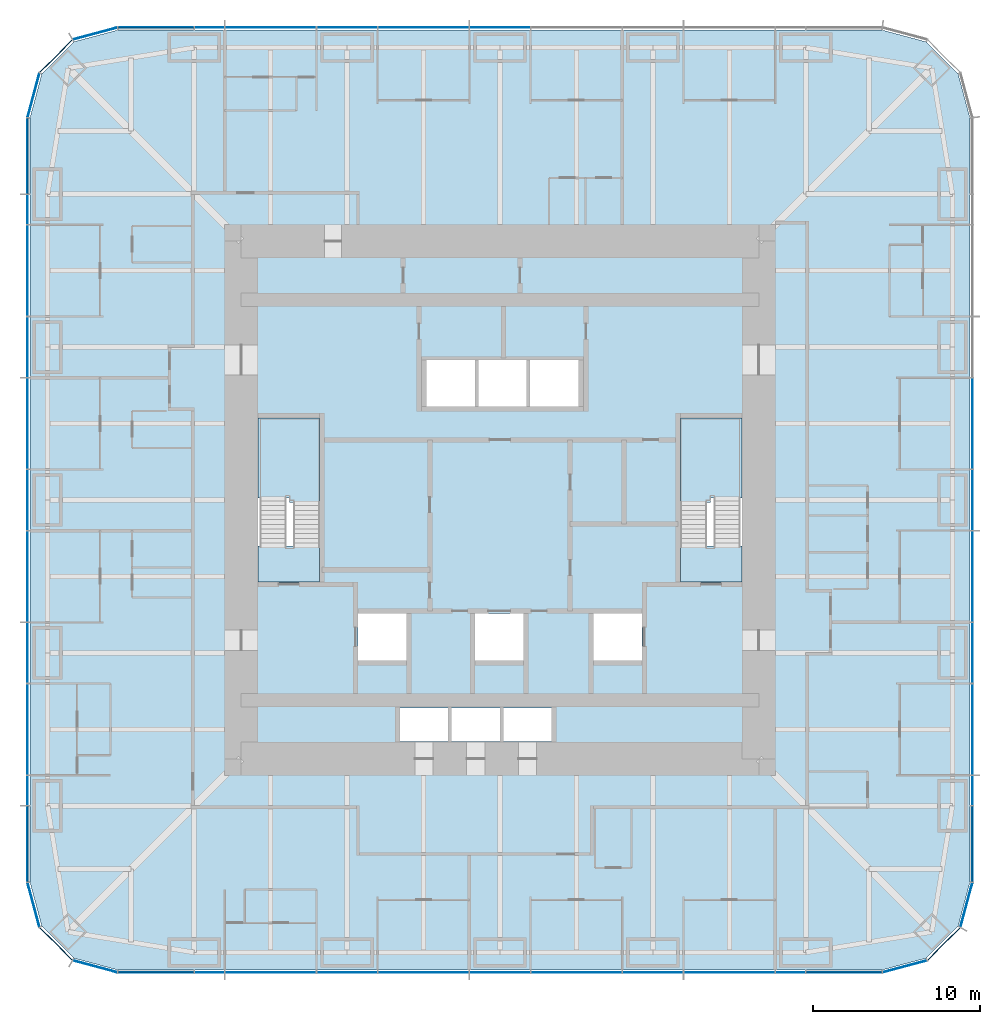
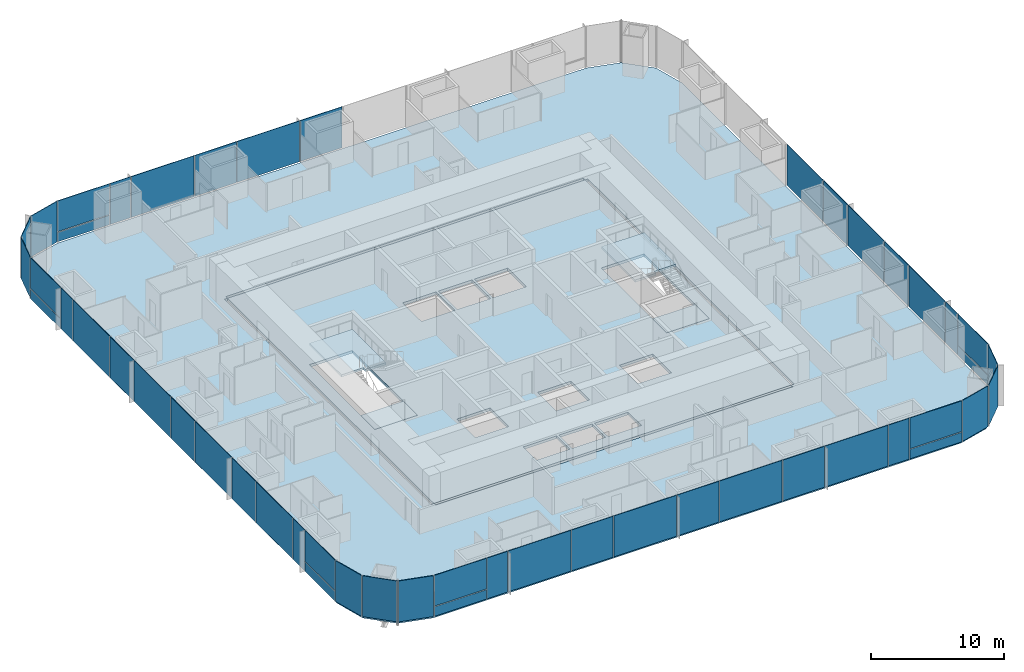
# One storey, part 6 of 12: 50 plates, 6 slabs, 9 elements without a shape of their own.
"""IFC4 building model written with IfcOpenShell, lengths in metres."""

import ifcopenshell
import ifcopenshell.guid

model = None  # the IFC model being written
_history = None  # IfcOwnerHistory: only IFC2X3 demands one
_inside = {}  # id of a spatial element -> (the spatial element, [elements in it])
_under = {}  # id of a project, library or spatial element -> (it, [spatial elements below it])
_declared = {}  # id of a project -> (the project, [libraries it declares])
_typed = {}  # id of a type object -> (the type object, [elements of that type])
_made_of = {}  # id of a material, layer set ... -> (it, [elements and type objects made of it])


def new_model(schema):
    """Start an empty IFC model of exactly this schema.

    Asked for "IFC4X3", IfcOpenShell would pick the latest addendum, in which some entities
    have other attributes; the version numbers below select the first issue.
    IFC2X3 requires an IfcOwnerHistory on every rooted entity: one is made here for all.
    """
    global model, _history
    if schema == "IFC4X3":
        model = ifcopenshell.file(schema_version=(4, 3, 0, 0))
    else:
        model = ifcopenshell.file(schema=schema)
    _inside.clear()
    _under.clear()
    _declared.clear()
    _typed.clear()
    _made_of.clear()
    _history = None
    if model.schema == "IFC2X3":
        org = make("IfcOrganization", Name="unknown")
        user = make(
            "IfcPersonAndOrganization",
            ThePerson=make("IfcPerson", FamilyName="unknown"),
            TheOrganization=org,
        )
        app = make(
            "IfcApplication",
            ApplicationDeveloper=org,
            Version="unknown",
            ApplicationFullName="unknown",
            ApplicationIdentifier="unknown",
        )
        _history = make(
            "IfcOwnerHistory",
            OwningUser=user,
            OwningApplication=app,
            ChangeAction="ADDED",
            CreationDate=0,
        )
    return model


def make(cls, **values):
    """One entity of the class cls with the attributes given. An attribute that is None is left unset."""
    return model.create_entity(
        cls, **{name: value for name, value in values.items() if value is not None}
    )


def rooted(cls, **values):
    """An entity with a GlobalId (a new one), such as an element, a storey or a relation."""
    return make(cls, GlobalId=ifcopenshell.guid.new(), OwnerHistory=_history, **values)


def si_unit(unit_type, name, prefix=None):
    """IfcSIUnit, for example si_unit("LENGTHUNIT", "METRE", prefix="MILLI")."""
    return make("IfcSIUnit", UnitType=unit_type, Prefix=prefix, Name=name)


def assignment(units):
    """IfcUnitAssignment: the units of a project."""
    return None if units is None else make("IfcUnitAssignment", Units=units)


def point(xyz):
    """IfcCartesianPoint."""
    return None if xyz is None else make("IfcCartesianPoint", Coordinates=xyz)


def direction(xyz):
    """IfcDirection."""
    return None if xyz is None else make("IfcDirection", DirectionRatios=xyz)


def frame(location, z_axis=None, x_axis=None):
    """IfcAxis2Placement3D, a coordinate frame: its origin and axes. An axis left out is left unset."""
    return make(
        "IfcAxis2Placement3D",
        Location=point(location),
        Axis=direction(z_axis),
        RefDirection=direction(x_axis),
    )


def frame_2d(location, x_axis=None):
    """IfcAxis2Placement2D, a coordinate frame in the plane: its origin and x axis."""
    return make(
        "IfcAxis2Placement2D", Location=point(location), RefDirection=direction(x_axis)
    )


def origin():
    """The frame at (0, 0, 0) with its axes left unset."""
    return frame((0.0, 0.0, 0.0))


def origin_2d():
    """The frame at (0, 0) in the plane with its x axis left unset."""
    return frame_2d((0.0, 0.0))


def place(relative_to, where):
    """IfcLocalPlacement: puts the frame where relative to a parent placement (None: the world)."""
    return make(
        "IfcLocalPlacement", PlacementRelTo=relative_to, RelativePlacement=where
    )


def context(
    kind, dimensions, precision=None, world=None, true_north=None, identifier=None
):
    """IfcGeometricRepresentationContext, for example the 3D "Model" context."""
    return make(
        "IfcGeometricRepresentationContext",
        ContextIdentifier=identifier,
        ContextType=kind,
        CoordinateSpaceDimension=dimensions,
        Precision=precision,
        WorldCoordinateSystem=world,
        TrueNorth=true_north,
    )


def subcontext(parent, identifier, kind, view, scale=None):
    """IfcGeometricRepresentationSubContext, for example "Body" below "Model"."""
    return make(
        "IfcGeometricRepresentationSubContext",
        ContextIdentifier=identifier,
        ContextType=kind,
        ParentContext=parent,
        TargetScale=scale,
        TargetView=view,
    )


def project(units=None, contexts=None):
    """IfcProject with its units and contexts."""
    return rooted(
        "IfcProject",
        Name="project",
        RepresentationContexts=contexts,
        UnitsInContext=assignment(units),
    )


def spatial(cls, under=None, at=None, **own):
    """A site, building, storey or space (cls), placed at a placement, below another one or the project."""
    s = rooted(cls, ObjectPlacement=at, **own)
    if under is not None:
        _under.setdefault(under.id(), (under, []))[1].append(s)
    return s


def polyline(points):
    """IfcPolyline through the points."""
    return make("IfcPolyline", Points=[point(p) for p in points])


def profile(cls, at=None, kind="AREA", **sizes):
    """A parametric profile (cls). Its sizes go by their IFC names, for example OverallWidth=200.0."""
    return make(cls, ProfileType=kind, Position=at, **sizes)


def rectangle(**sizes):
    """IfcRectangleProfileDef."""
    return profile("IfcRectangleProfileDef", **sizes)


def outline(outer, holes=None, kind="AREA"):
    """IfcArbitraryClosedProfileDef: a profile drawn as a closed curve; with holes, ...WithVoids."""
    if holes is None:
        return make("IfcArbitraryClosedProfileDef", ProfileType=kind, OuterCurve=outer)
    return make(
        "IfcArbitraryProfileDefWithVoids",
        ProfileType=kind,
        OuterCurve=outer,
        InnerCurves=holes,
    )


def extrude(swept, where, along, depth):
    """IfcExtrudedAreaSolid: the profile swept, set in the frame where, extruded along a direction by depth."""
    return make(
        "IfcExtrudedAreaSolid",
        SweptArea=swept,
        Position=where,
        ExtrudedDirection=direction(along),
        Depth=depth,
    )


def shape(context_of_items, identifier, shape_type, items):
    """IfcShapeRepresentation: the items that make up one representation, for example the "Body"."""
    return make(
        "IfcShapeRepresentation",
        ContextOfItems=context_of_items,
        RepresentationIdentifier=identifier,
        RepresentationType=shape_type,
        Items=items,
    )


def material(Name=None, Category=None):
    """IfcMaterial."""
    return make("IfcMaterial", Name=Name, Category=Category)


def layer(
    of_material, thickness, ventilated=None, Name=None, Category=None, Priority=None
):
    """IfcMaterialLayer: one layer of a wall or slab, of a material (None: an air gap)."""
    return make(
        "IfcMaterialLayer",
        Material=of_material,
        LayerThickness=thickness,
        IsVentilated=ventilated,
        Name=Name,
        Category=Category,
        Priority=Priority,
    )


def layer_set(layers, Name=None):
    """IfcMaterialLayerSet."""
    return make("IfcMaterialLayerSet", MaterialLayers=layers, LayerSetName=Name)


def made_of(thing, what):
    """Note that an element or type object is made of a material, layer set ...; save() writes the relation."""
    if what is not None:
        _made_of.setdefault(what.id(), (what, []))[1].append(thing)
    return thing


def type_object(cls, material=None, **own):
    """A type object (cls), such as IfcWallType, which elements share."""
    return made_of(rooted(cls, **own), material)


def element(
    cls,
    number,
    at=None,
    inside=None,
    cuts=None,
    type_object=None,
    material=None,
    context=None,
    identifier="Body",
    shape_type=None,
    held_by="IfcProductDefinitionShape",
    body=None,
    shapes=None,
    **own,
):
    """One element of the class cls, such as IfcWall. Its Tag is "e" and its number.

    at: its placement. inside: the storey or other place that contains it. cuts: it is an
    opening in that element (IfcRelVoidsElement). A single representation is given by context,
    identifier, shape_type and body (its items); several are given by shapes. held_by: the class
    of the entity that holds the representations. save() writes the other relations.
    """
    e = rooted(cls, Tag="e%d" % number, ObjectPlacement=at, **own)
    if body is not None:
        shapes = [shape(context, identifier, shape_type, body)]
    if shapes is not None:
        e.Representation = make(held_by, Representations=shapes)
    if inside is not None:
        _inside.setdefault(inside.id(), (inside, []))[1].append(e)
    if cuts is not None:
        rooted(
            "IfcRelVoidsElement", RelatingBuildingElement=cuts, RelatedOpeningElement=e
        )
    if type_object is not None:
        _typed.setdefault(type_object.id(), (type_object, []))[1].append(e)
    return made_of(e, material)


def aggregate(whole, parts):
    """IfcRelAggregates: a whole, such as a stair, and the parts it consists of."""
    return rooted("IfcRelAggregates", RelatingObject=whole, RelatedObjects=parts)


def save(model, path):
    """Write the relations noted so far, then the file.

    IfcRelAggregates (storeys below a building ...), IfcRelContainedInSpatialStructure (elements
    in a storey), IfcRelDefinesByType, IfcRelAssociatesMaterial and IfcRelDeclares: one each for
    every whole, place, type object, material and project.
    """
    for whole, parts in _under.values():
        aggregate(whole, parts)
    for where, things in _inside.values():
        rooted(
            "IfcRelContainedInSpatialStructure",
            RelatedElements=things,
            RelatingStructure=where,
        )
    for kind, things in _typed.values():
        rooted("IfcRelDefinesByType", RelatedObjects=things, RelatingType=kind)
    for what, things in _made_of.values():
        rooted("IfcRelAssociatesMaterial", RelatedObjects=things, RelatingMaterial=what)
    for by, libraries in _declared.values():
        rooted("IfcRelDeclares", RelatingContext=by, RelatedDefinitions=libraries)
    model.write(path)


model = new_model("IFC4")

# Units and contexts
model_context = context("Model", 3, precision=1e-05, world=origin(), true_north=direction((0.0, 1.0)))
body_context = subcontext(model_context, "Body", "Model", "MODEL_VIEW")
ifc_project = project(units=[si_unit("LENGTHUNIT", "METRE"), si_unit("AREAUNIT", "SQUARE_METRE"), si_unit("VOLUMEUNIT", "CUBIC_METRE"), si_unit("PLANEANGLEUNIT", "RADIAN"), si_unit("MASSUNIT", "GRAM", prefix="KILO")], contexts=[model_context])

# Site, building, storey
site_placement = place(None, origin())
site = spatial("IfcSite", under=ifc_project, at=site_placement, CompositionType="ELEMENT")
building_placement = place(site_placement, origin())
building = spatial("IfcBuilding", under=site, at=building_placement, Name="Khuree Lantern Residences", CompositionType="ELEMENT")
storey_placement = place(building_placement, frame((0.0, 0.0, 182.25)))
storey = spatial("IfcBuildingStorey", under=building, at=storey_placement, Name="L46", CompositionType="ELEMENT", Elevation=182.25)

# Slab
ifc_material_1 = material(Name="Concrete C35/45", Category="concrete")
ifc_layer_1 = layer(ifc_material_1, 0.25)
ifc_layer_set_1 = layer_set([ifc_layer_1], Name="CFL250 CORE FLOOR SLAB 250")
slab_type_1 = type_object("IfcSlabType", Name="CFL250 CORE FLOOR SLAB 250", PredefinedType="FLOOR", material=ifc_layer_set_1)
slab_1_placement = place(storey_placement, frame((0.0, 0.0, -0.25)))
element("IfcSlab", 1, at=slab_1_placement, inside=storey, type_object=slab_type_1, Name="Core floor L46", PredefinedType="FLOOR", context=body_context, shape_type="SweptSolid", body=[
    extrude(outline(polyline([(-15.5, -15.5), (-15.5, 15.5), (15.5, 15.5), (15.5, -15.5), (-15.5, -15.5)]), holes=[polyline([(10.800048828125, 4.89990234375), (10.800048828125, -4.89990234375), (14.5, -4.89990234375), (14.5, 4.89990234375), (10.800048828125, 4.89990234375)]), polyline([(8.5, -6.800048828125), (5.60009765625, -6.800048828125), (5.60009765625, -9.60009765625), (8.5, -9.60009765625), (8.5, -6.800048828125)]), polyline([(4.699951171875, 8.39990234375), (1.800048828125, 8.39990234375), (1.800048828125, 5.60009765625), (4.699951171875, 5.60009765625), (4.699951171875, 8.39990234375)]), polyline([(3.10009765625, -12.449951171875), (0.199951171875, -12.449951171875), (0.199951171875, -14.449951171875), (3.10009765625, -14.449951171875), (3.10009765625, -12.449951171875)]), polyline([(1.60009765625, 8.39990234375), (-1.300048828125, 8.39990234375), (-1.300048828125, 5.60009765625), (1.60009765625, 5.60009765625), (1.60009765625, 8.39990234375)]), polyline([(1.39990234375, -6.800048828125), (-1.5, -6.800048828125), (-1.5, -9.60009765625), (1.39990234375, -9.60009765625), (1.39990234375, -6.800048828125)]), polyline([(-2.89990234375, -12.449951171875), (-2.89990234375, -14.449951171875), (0.0, -14.449951171875), (0.0, -12.449951171875), (-2.89990234375, -12.449951171875)]), polyline([(-4.39990234375, 8.39990234375), (-4.39990234375, 5.60009765625), (-1.5, 5.60009765625), (-1.5, 8.39990234375), (-4.39990234375, 8.39990234375)]), polyline([(-6.0, -12.449951171875), (-6.0, -14.449951171875), (-3.10009765625, -14.449951171875), (-3.10009765625, -12.449951171875), (-6.0, -12.449951171875)]), polyline([(-8.5, -6.800048828125), (-8.5, -9.60009765625), (-5.60009765625, -9.60009765625), (-5.60009765625, -6.800048828125), (-8.5, -6.800048828125)]), polyline([(-10.800048828125, 4.89990234375), (-14.5, 4.89990234375), (-14.5, -4.89990234375), (-10.800048828125, -4.89990234375), (-10.800048828125, 4.89990234375)])]), origin(), (0.0, 0.0, 1.0), 0.25),
])

# Curtain wall, plates
ifc_material_2 = material(Name="Bronze anodised aluminium", Category="aluminium")
curtain_wall_type_1 = type_object("IfcCurtainWallType", Name="CW-T2 TOWER CORNER CURTAIN WALL", PredefinedType="USERDEFINED", material=ifc_material_2)
curtain_wall_1_placement = place(storey_placement, origin())
curtain_wall_1 = element("IfcCurtainWall", 2, at=curtain_wall_1_placement, inside=storey, type_object=curtain_wall_type_1, Name="L46 SOUTH-EAST CORNER CURTAIN WALL", ObjectType="Faceted corner curtain wall", PredefinedType="USERDEFINED")
ifc_material_3 = material(Name="Bronze tinted triple glazing", Category="glass")
ifc_layer_2 = layer(ifc_material_3, 0.048095703125)
ifc_layer_set_2 = layer_set([ifc_layer_2], Name="FACET PANEL P4")
plate_type_1 = type_object("IfcPlateType", Name="FACET PANEL P4", PredefinedType="CURTAIN_PANEL", material=ifc_layer_set_2)
plate_1_placement = place(storey_placement, frame((24.248046875, -27.938720703125, 0.0), z_axis=(0.0, 0.0, 1.0), x_axis=(0.965925810153, 0.258819105321, 0.0)))
plate_1 = element("IfcPlate", 3, at=plate_1_placement, type_object=plate_type_1, Name="L46 SOUTH-EAST CORNER PANEL 1.1", PredefinedType="CURTAIN_PANEL", context=body_context, shape_type="SweptSolid", body=[
    extrude(rectangle(XDim=2.71923828125, YDim=0.048095703125, at=origin_2d()), origin(), (0.0, 0.0, 1.0), 3.75),
])
plate_2_placement = place(storey_placement, frame((26.58837890625, -26.58837890625, 0.0), z_axis=(0.0, 0.0, 1.0), x_axis=(0.707106781187, 0.707106781187, 0.0)))
plate_2 = element("IfcPlate", 4, at=plate_2_placement, type_object=plate_type_1, Name="L46 SOUTH-EAST CORNER PANEL 2.1", PredefinedType="CURTAIN_PANEL", context=body_context, shape_type="SweptSolid", body=[
    extrude(rectangle(XDim=2.715087890625, YDim=0.048095703125, at=origin_2d()), origin(), (0.0, 0.0, 1.0), 3.75),
])
plate_3_placement = place(storey_placement, frame((27.938720703125, -24.248046875, 0.0), z_axis=(0.0, 0.0, 1.0), x_axis=(0.258819105321, 0.965925810153, 0.0)))
plate_3 = element("IfcPlate", 5, at=plate_3_placement, type_object=plate_type_1, Name="L46 SOUTH-EAST CORNER PANEL 3.1", PredefinedType="CURTAIN_PANEL", context=body_context, shape_type="SweptSolid", body=[
    extrude(rectangle(XDim=2.71923828125, YDim=0.048095703125, at=origin_2d()), origin(), (0.0, 0.0, 1.0), 3.75),
])
aggregate(curtain_wall_1, [plate_1, plate_2, plate_3])

curtain_wall_2_placement = place(storey_placement, origin())
curtain_wall_2 = element("IfcCurtainWall", 6, at=curtain_wall_2_placement, inside=storey, type_object=curtain_wall_type_1, Name="L46 NORTH-WEST CORNER CURTAIN WALL", ObjectType="Faceted corner curtain wall", PredefinedType="USERDEFINED")
plate_4_placement = place(storey_placement, frame((-24.248046875, 27.938720703125, 0.0), z_axis=(0.0, 0.0, 1.0), x_axis=(-0.965925810153, -0.258819105321, 0.0)))
plate_4 = element("IfcPlate", 7, at=plate_4_placement, type_object=plate_type_1, Name="L46 NORTH-WEST CORNER PANEL 29.1", PredefinedType="CURTAIN_PANEL", context=body_context, shape_type="SweptSolid", body=[
    extrude(rectangle(XDim=2.71923828125, YDim=0.048095703125, at=origin_2d()), origin(), (0.0, 0.0, 1.0), 3.75),
])
plate_5_placement = place(storey_placement, frame((-26.58837890625, 26.58837890625, 0.0), z_axis=(0.0, 0.0, 1.0), x_axis=(-0.707106781187, -0.707106781187, 0.0)))
plate_5 = element("IfcPlate", 8, at=plate_5_placement, type_object=plate_type_1, Name="L46 NORTH-WEST CORNER PANEL 30.1", PredefinedType="CURTAIN_PANEL", context=body_context, shape_type="SweptSolid", body=[
    extrude(rectangle(XDim=2.715087890625, YDim=0.048095703125, at=origin_2d()), origin(), (0.0, 0.0, 1.0), 3.75),
])
plate_6_placement = place(storey_placement, frame((-27.938720703125, 24.248046875, 0.0), z_axis=(0.0, 0.0, 1.0), x_axis=(-0.258819105321, -0.965925810153, 0.0)))
plate_6 = element("IfcPlate", 9, at=plate_6_placement, type_object=plate_type_1, Name="L46 NORTH-WEST CORNER PANEL 31.1", PredefinedType="CURTAIN_PANEL", context=body_context, shape_type="SweptSolid", body=[
    extrude(rectangle(XDim=2.71923828125, YDim=0.048095703125, at=origin_2d()), origin(), (0.0, 0.0, 1.0), 3.75),
])
aggregate(curtain_wall_2, [plate_4, plate_5, plate_6])

curtain_wall_3_placement = place(storey_placement, origin())
curtain_wall_3 = element("IfcCurtainWall", 10, at=curtain_wall_3_placement, inside=storey, type_object=curtain_wall_type_1, Name="L46 SOUTH-WEST CORNER CURTAIN WALL", ObjectType="Faceted corner curtain wall", PredefinedType="USERDEFINED")
plate_7_placement = place(storey_placement, frame((-27.938720703125, -24.248046875, 0.0), z_axis=(0.0, 0.0, 1.0), x_axis=(0.258819105321, -0.965925810153, 0.0)))
plate_7 = element("IfcPlate", 11, at=plate_7_placement, type_object=plate_type_1, Name="L46 SOUTH-WEST CORNER PANEL 43.1", PredefinedType="CURTAIN_PANEL", context=body_context, shape_type="SweptSolid", body=[
    extrude(rectangle(XDim=2.71923828125, YDim=0.048095703125, at=origin_2d()), origin(), (0.0, 0.0, 1.0), 3.75),
])
plate_8_placement = place(storey_placement, frame((-26.58837890625, -26.58837890625, 0.0), z_axis=(0.0, 0.0, 1.0), x_axis=(0.707106781187, -0.707106781187, 0.0)))
plate_8 = element("IfcPlate", 12, at=plate_8_placement, type_object=plate_type_1, Name="L46 SOUTH-WEST CORNER PANEL 44.1", PredefinedType="CURTAIN_PANEL", context=body_context, shape_type="SweptSolid", body=[
    extrude(rectangle(XDim=2.715087890625, YDim=0.048095703125, at=origin_2d()), origin(), (0.0, 0.0, 1.0), 3.75),
])
plate_9_placement = place(storey_placement, frame((-24.248046875, -27.938720703125, 0.0), z_axis=(0.0, 0.0, 1.0), x_axis=(0.965925810153, -0.258819105321, 0.0)))
plate_9 = element("IfcPlate", 13, at=plate_9_placement, type_object=plate_type_1, Name="L46 SOUTH-WEST CORNER PANEL 45.1", PredefinedType="CURTAIN_PANEL", context=body_context, shape_type="SweptSolid", body=[
    extrude(rectangle(XDim=2.71923828125, YDim=0.048095703125, at=origin_2d()), origin(), (0.0, 0.0, 1.0), 3.75),
])
aggregate(curtain_wall_3, [plate_7, plate_8, plate_9])

curtain_wall_type_2 = type_object("IfcCurtainWallType", Name="CW-T1 TOWER FACE CURTAIN WALL", PredefinedType="USERDEFINED", material=ifc_material_2)
curtain_wall_4_placement = place(storey_placement, origin())
curtain_wall_4 = element("IfcCurtainWall", 14, at=curtain_wall_4_placement, inside=storey, type_object=curtain_wall_type_2, Name="L46 EAST FACE CURTAIN WALL", ObjectType="Stick-built curtain wall", PredefinedType="USERDEFINED")
ifc_material_4 = material(Name="Bronze tinted triple glazing with a ceramic-fritted spandrel band", Category="glass")
ifc_layer_3 = layer(ifc_material_4, 0.048095703125)
ifc_layer_set_3 = layer_set([ifc_layer_3], Name="FIXED LIGHT PANEL P11")
plate_type_2 = type_object("IfcPlateType", Name="FIXED LIGHT PANEL P11", PredefinedType="CURTAIN_PANEL", material=ifc_layer_set_3)
plate_10_placement = place(storey_placement, frame((28.300048828125, -13.739990234375, 0.0), z_axis=(0.0, 0.0, 1.0), x_axis=(0.0, 1.0, 0.0)))
plate_10 = element("IfcPlate", 15, at=plate_10_placement, type_object=plate_type_2, Name="L46 EAST FACE PANEL 6.1", PredefinedType="CURTAIN_PANEL", context=body_context, shape_type="SweptSolid", body=[
    extrude(rectangle(XDim=5.430908203125, YDim=0.048095703125, at=origin_2d()), origin(), (0.0, 0.0, 1.0), 3.75),
])
plate_11_placement = place(storey_placement, frame((28.300048828125, -4.580078125, 0.0), z_axis=(0.0, 0.0, 1.0), x_axis=(0.0, 1.0, 0.0)))
plate_11 = element("IfcPlate", 16, at=plate_11_placement, type_object=plate_type_2, Name="L46 EAST FACE PANEL 8.1", PredefinedType="CURTAIN_PANEL", context=body_context, shape_type="SweptSolid", body=[
    extrude(rectangle(XDim=5.430908203125, YDim=0.048095703125, at=origin_2d()), origin(), (0.0, 0.0, 1.0), 3.75),
])
plate_12_placement = place(storey_placement, frame((28.300048828125, 4.580078125, 0.0), z_axis=(0.0, 0.0, 1.0), x_axis=(0.0, 1.0, 0.0)))
plate_12 = element("IfcPlate", 17, at=plate_12_placement, type_object=plate_type_2, Name="L46 EAST FACE PANEL 10.1", PredefinedType="CURTAIN_PANEL", context=body_context, shape_type="SweptSolid", body=[
    extrude(rectangle(XDim=5.430908203125, YDim=0.048095703125, at=origin_2d()), origin(), (0.0, 0.0, 1.0), 3.75),
])

curtain_wall_5_placement = place(storey_placement, origin())
curtain_wall_5 = element("IfcCurtainWall", 18, at=curtain_wall_5_placement, inside=storey, type_object=curtain_wall_type_2, Name="L46 NORTH FACE CURTAIN WALL", ObjectType="Stick-built curtain wall", PredefinedType="USERDEFINED")
plate_13_placement = place(storey_placement, frame((-4.580078125, 28.300048828125, 0.0), z_axis=(0.0, 0.0, 1.0), x_axis=(-1.0, 0.0, 0.0)))
plate_13 = element("IfcPlate", 19, at=plate_13_placement, type_object=plate_type_2, Name="L46 NORTH FACE PANEL 24.1", PredefinedType="CURTAIN_PANEL", context=body_context, shape_type="SweptSolid", body=[
    extrude(rectangle(XDim=5.430908203125, YDim=0.048095703125, at=origin_2d()), origin(), (0.0, 0.0, 1.0), 3.75),
])
plate_14_placement = place(storey_placement, frame((-13.739990234375, 28.300048828125, 0.0), z_axis=(0.0, 0.0, 1.0), x_axis=(-1.0, 0.0, 0.0)))
plate_14 = element("IfcPlate", 20, at=plate_14_placement, type_object=plate_type_2, Name="L46 NORTH FACE PANEL 26.1", PredefinedType="CURTAIN_PANEL", context=body_context, shape_type="SweptSolid", body=[
    extrude(rectangle(XDim=5.430908203125, YDim=0.048095703125, at=origin_2d()), origin(), (0.0, 0.0, 1.0), 3.75),
])

curtain_wall_6_placement = place(storey_placement, origin())
curtain_wall_6 = element("IfcCurtainWall", 21, at=curtain_wall_6_placement, inside=storey, type_object=curtain_wall_type_2, Name="L46 WEST FACE CURTAIN WALL", ObjectType="Stick-built curtain wall", PredefinedType="USERDEFINED")
plate_15_placement = place(storey_placement, frame((-28.300048828125, 13.739990234375, 0.0), z_axis=(0.0, 0.0, 1.0), x_axis=(0.0, -1.0, 0.0)))
plate_15 = element("IfcPlate", 22, at=plate_15_placement, type_object=plate_type_2, Name="L46 WEST FACE PANEL 34.1", PredefinedType="CURTAIN_PANEL", context=body_context, shape_type="SweptSolid", body=[
    extrude(rectangle(XDim=5.430908203125, YDim=0.048095703125, at=origin_2d()), origin(), (0.0, 0.0, 1.0), 3.75),
])
plate_16_placement = place(storey_placement, frame((-28.300048828125, 4.580078125, 0.0), z_axis=(0.0, 0.0, 1.0), x_axis=(0.0, -1.0, 0.0)))
plate_16 = element("IfcPlate", 23, at=plate_16_placement, type_object=plate_type_2, Name="L46 WEST FACE PANEL 36.1", PredefinedType="CURTAIN_PANEL", context=body_context, shape_type="SweptSolid", body=[
    extrude(rectangle(XDim=5.430908203125, YDim=0.048095703125, at=origin_2d()), origin(), (0.0, 0.0, 1.0), 3.75),
])
plate_17_placement = place(storey_placement, frame((-28.300048828125, -4.580078125, 0.0), z_axis=(0.0, 0.0, 1.0), x_axis=(0.0, -1.0, 0.0)))
plate_17 = element("IfcPlate", 24, at=plate_17_placement, type_object=plate_type_2, Name="L46 WEST FACE PANEL 38.1", PredefinedType="CURTAIN_PANEL", context=body_context, shape_type="SweptSolid", body=[
    extrude(rectangle(XDim=5.430908203125, YDim=0.048095703125, at=origin_2d()), origin(), (0.0, 0.0, 1.0), 3.75),
])
plate_18_placement = place(storey_placement, frame((-28.300048828125, -13.739990234375, 0.0), z_axis=(0.0, 0.0, 1.0), x_axis=(0.0, -1.0, 0.0)))
plate_18 = element("IfcPlate", 25, at=plate_18_placement, type_object=plate_type_2, Name="L46 WEST FACE PANEL 40.1", PredefinedType="CURTAIN_PANEL", context=body_context, shape_type="SweptSolid", body=[
    extrude(rectangle(XDim=5.430908203125, YDim=0.048095703125, at=origin_2d()), origin(), (0.0, 0.0, 1.0), 3.75),
])

curtain_wall_7_placement = place(storey_placement, origin())
curtain_wall_7 = element("IfcCurtainWall", 26, at=curtain_wall_7_placement, inside=storey, type_object=curtain_wall_type_2, Name="L46 SOUTH FACE CURTAIN WALL", ObjectType="Stick-built curtain wall", PredefinedType="USERDEFINED")
plate_19_placement = place(storey_placement, frame((-13.739990234375, -28.300048828125, 0.0), z_axis=(0.0, 0.0, 1.0), x_axis=(1.0, 0.0, 0.0)))
plate_19 = element("IfcPlate", 27, at=plate_19_placement, type_object=plate_type_2, Name="L46 SOUTH FACE PANEL 48.1", PredefinedType="CURTAIN_PANEL", context=body_context, shape_type="SweptSolid", body=[
    extrude(rectangle(XDim=5.430908203125, YDim=0.048095703125, at=origin_2d()), origin(), (0.0, 0.0, 1.0), 3.75),
])
plate_20_placement = place(storey_placement, frame((-4.580078125, -28.300048828125, 0.0), z_axis=(0.0, 0.0, 1.0), x_axis=(1.0, 0.0, 0.0)))
plate_20 = element("IfcPlate", 28, at=plate_20_placement, type_object=plate_type_2, Name="L46 SOUTH FACE PANEL 50.1", PredefinedType="CURTAIN_PANEL", context=body_context, shape_type="SweptSolid", body=[
    extrude(rectangle(XDim=5.430908203125, YDim=0.048095703125, at=origin_2d()), origin(), (0.0, 0.0, 1.0), 3.75),
])
plate_21_placement = place(storey_placement, frame((4.580078125, -28.300048828125, 0.0), z_axis=(0.0, 0.0, 1.0), x_axis=(1.0, 0.0, 0.0)))
plate_21 = element("IfcPlate", 29, at=plate_21_placement, type_object=plate_type_2, Name="L46 SOUTH FACE PANEL 52.1", PredefinedType="CURTAIN_PANEL", context=body_context, shape_type="SweptSolid", body=[
    extrude(rectangle(XDim=5.430908203125, YDim=0.048095703125, at=origin_2d()), origin(), (0.0, 0.0, 1.0), 3.75),
])
plate_22_placement = place(storey_placement, frame((13.739990234375, -28.300048828125, 0.0), z_axis=(0.0, 0.0, 1.0), x_axis=(1.0, 0.0, 0.0)))
plate_22 = element("IfcPlate", 30, at=plate_22_placement, type_object=plate_type_2, Name="L46 SOUTH FACE PANEL 54.1", PredefinedType="CURTAIN_PANEL", context=body_context, shape_type="SweptSolid", body=[
    extrude(rectangle(XDim=5.430908203125, YDim=0.048095703125, at=origin_2d()), origin(), (0.0, 0.0, 1.0), 3.75),
])

# Slab
ifc_layer_4 = layer(ifc_material_1, 0.25)
ifc_layer_set_4 = layer_set([ifc_layer_4], Name="FS250 FLOOR SLAB 250")
slab_type_2 = type_object("IfcSlabType", Name="FS250 FLOOR SLAB 250", PredefinedType="FLOOR", material=ifc_layer_set_4)
slab_2_placement = place(storey_placement, frame((0.0, 0.0, -0.25)))
element("IfcSlab", 31, at=slab_2_placement, inside=storey, type_object=slab_type_2, Name="Floor slab L46", PredefinedType="FLOOR", context=body_context, shape_type="SweptSolid", body=[
    extrude(outline(polyline([(-25.52490234375, -27.446533203125), (-27.446533203125, -25.52490234375), (-28.14990234375, -22.89990234375), (-28.14990234375, 22.89990234375), (-27.446533203125, 25.52490234375), (-25.52490234375, 27.446533203125), (-22.89990234375, 28.14990234375), (22.89990234375, 28.14990234375), (25.52490234375, 27.446533203125), (27.446533203125, 25.52490234375), (28.14990234375, 22.89990234375), (28.14990234375, -22.89990234375), (27.446533203125, -25.52490234375), (25.52490234375, -27.446533203125), (22.89990234375, -28.14990234375), (-22.89990234375, -28.14990234375), (-25.52490234375, -27.446533203125)]), holes=[polyline([(15.75, 15.5), (15.5, 15.5), (15.5, 15.75), (-15.5, 15.75), (-15.5, 15.5), (-15.75, 15.5), (-15.75, -15.5), (-15.5, -15.5), (-15.5, -15.75), (15.5, -15.75), (15.5, -15.5), (15.75, -15.5), (15.75, 15.5)])]), origin(), (0.0, 0.0, 1.0), 0.25),
])

# Plate
ifc_material_5 = material(Name="Bronze tinted triple glazing, two aluminium-framed sashes in one frame", Category="aluminium")
ifc_layer_5 = layer(ifc_material_5, 0.048095703125)
ifc_layer_set_5 = layer_set([ifc_layer_5], Name="SASH PAIR PANEL P12")
plate_type_3 = type_object("IfcPlateType", Name="SASH PAIR PANEL P12", PredefinedType="CURTAIN_PANEL", material=ifc_layer_set_5)
plate_23_placement = place(storey_placement, frame((28.300048828125, -9.159912109375, 0.0), z_axis=(0.0, 0.0, 1.0), x_axis=(0.0, 1.0, 0.0)))
plate_23 = element("IfcPlate", 32, at=plate_23_placement, type_object=plate_type_3, Name="L46 EAST FACE PANEL 7.1", PredefinedType="CURTAIN_PANEL", context=body_context, shape_type="SweptSolid", body=[
    extrude(rectangle(XDim=3.59912109375, YDim=0.048095703125, at=origin_2d()), origin(), (0.0, 0.0, 1.0), 3.75),
])

plate_24_placement = place(storey_placement, frame((28.300048828125, 0.0, 0.0), z_axis=(0.0, 0.0, 1.0), x_axis=(0.0, 1.0, 0.0)))
plate_24 = element("IfcPlate", 33, at=plate_24_placement, type_object=plate_type_3, Name="L46 EAST FACE PANEL 9.1", PredefinedType="CURTAIN_PANEL", context=body_context, shape_type="SweptSolid", body=[
    extrude(rectangle(XDim=3.59912109375, YDim=0.048095703125, at=origin_2d()), origin(), (0.0, 0.0, 1.0), 3.75),
])

plate_25_placement = place(storey_placement, frame((0.0, 28.300048828125, 0.0), z_axis=(0.0, 0.0, 1.0), x_axis=(-1.0, 0.0, 0.0)))
plate_25 = element("IfcPlate", 34, at=plate_25_placement, type_object=plate_type_3, Name="L46 NORTH FACE PANEL 23.1", PredefinedType="CURTAIN_PANEL", context=body_context, shape_type="SweptSolid", body=[
    extrude(rectangle(XDim=3.59912109375, YDim=0.048095703125, at=origin_2d()), origin(), (0.0, 0.0, 1.0), 3.75),
])

plate_26_placement = place(storey_placement, frame((-9.159912109375, 28.300048828125, 0.0), z_axis=(0.0, 0.0, 1.0), x_axis=(-1.0, 0.0, 0.0)))
plate_26 = element("IfcPlate", 35, at=plate_26_placement, type_object=plate_type_3, Name="L46 NORTH FACE PANEL 25.1", PredefinedType="CURTAIN_PANEL", context=body_context, shape_type="SweptSolid", body=[
    extrude(rectangle(XDim=3.59912109375, YDim=0.048095703125, at=origin_2d()), origin(), (0.0, 0.0, 1.0), 3.75),
])

plate_27_placement = place(storey_placement, frame((-28.300048828125, 9.159912109375, 0.0), z_axis=(0.0, 0.0, 1.0), x_axis=(0.0, -1.0, 0.0)))
plate_27 = element("IfcPlate", 36, at=plate_27_placement, type_object=plate_type_3, Name="L46 WEST FACE PANEL 35.1", PredefinedType="CURTAIN_PANEL", context=body_context, shape_type="SweptSolid", body=[
    extrude(rectangle(XDim=3.59912109375, YDim=0.048095703125, at=origin_2d()), origin(), (0.0, 0.0, 1.0), 3.75),
])

plate_28_placement = place(storey_placement, frame((-28.300048828125, 0.0, 0.0), z_axis=(0.0, 0.0, 1.0), x_axis=(0.0, -1.0, 0.0)))
plate_28 = element("IfcPlate", 37, at=plate_28_placement, type_object=plate_type_3, Name="L46 WEST FACE PANEL 37.1", PredefinedType="CURTAIN_PANEL", context=body_context, shape_type="SweptSolid", body=[
    extrude(rectangle(XDim=3.59912109375, YDim=0.048095703125, at=origin_2d()), origin(), (0.0, 0.0, 1.0), 3.75),
])

plate_29_placement = place(storey_placement, frame((-28.300048828125, -9.159912109375, 0.0), z_axis=(0.0, 0.0, 1.0), x_axis=(0.0, -1.0, 0.0)))
plate_29 = element("IfcPlate", 38, at=plate_29_placement, type_object=plate_type_3, Name="L46 WEST FACE PANEL 39.1", PredefinedType="CURTAIN_PANEL", context=body_context, shape_type="SweptSolid", body=[
    extrude(rectangle(XDim=3.59912109375, YDim=0.048095703125, at=origin_2d()), origin(), (0.0, 0.0, 1.0), 3.75),
])

plate_30_placement = place(storey_placement, frame((-9.159912109375, -28.300048828125, 0.0), z_axis=(0.0, 0.0, 1.0), x_axis=(1.0, 0.0, 0.0)))
plate_30 = element("IfcPlate", 39, at=plate_30_placement, type_object=plate_type_3, Name="L46 SOUTH FACE PANEL 49.1", PredefinedType="CURTAIN_PANEL", context=body_context, shape_type="SweptSolid", body=[
    extrude(rectangle(XDim=3.59912109375, YDim=0.048095703125, at=origin_2d()), origin(), (0.0, 0.0, 1.0), 3.75),
])

plate_31_placement = place(storey_placement, frame((0.0, -28.300048828125, 0.0), z_axis=(0.0, 0.0, 1.0), x_axis=(1.0, 0.0, 0.0)))
plate_31 = element("IfcPlate", 40, at=plate_31_placement, type_object=plate_type_3, Name="L46 SOUTH FACE PANEL 51.1", PredefinedType="CURTAIN_PANEL", context=body_context, shape_type="SweptSolid", body=[
    extrude(rectangle(XDim=3.59912109375, YDim=0.048095703125, at=origin_2d()), origin(), (0.0, 0.0, 1.0), 3.75),
])

plate_32_placement = place(storey_placement, frame((9.159912109375, -28.300048828125, 0.0), z_axis=(0.0, 0.0, 1.0), x_axis=(1.0, 0.0, 0.0)))
plate_32 = element("IfcPlate", 41, at=plate_32_placement, type_object=plate_type_3, Name="L46 SOUTH FACE PANEL 53.1", PredefinedType="CURTAIN_PANEL", context=body_context, shape_type="SweptSolid", body=[
    extrude(rectangle(XDim=3.59912109375, YDim=0.048095703125, at=origin_2d()), origin(), (0.0, 0.0, 1.0), 3.75),
])

ifc_material_6 = material(Name="Bronze tinted triple glazing, aluminium-framed sash", Category="aluminium")
ifc_layer_6 = layer(ifc_material_6, 0.048095703125)
ifc_layer_set_6 = layer_set([ifc_layer_6], Name="SASH PANEL P3")
plate_type_4 = type_object("IfcPlateType", Name="SASH PANEL P3", PredefinedType="CURTAIN_PANEL", material=ifc_layer_set_6)
plate_33_placement = place(storey_placement, frame((28.300048828125, -17.404052734375, 0.0), z_axis=(0.0, 0.0, 1.0), x_axis=(0.0, 1.0, 0.0)))
plate_33 = element("IfcPlate", 42, at=plate_33_placement, type_object=plate_type_4, Name="L46 EAST FACE PANEL 5.1", PredefinedType="CURTAIN_PANEL", context=body_context, shape_type="SweptSolid", body=[
    extrude(rectangle(XDim=1.76708984375, YDim=0.048095703125, at=origin_2d()), origin(), (0.0, 0.0, 1.0), 3.75),
])

plate_34_placement = place(storey_placement, frame((-17.404052734375, 28.300048828125, 0.0), z_axis=(0.0, 0.0, 1.0), x_axis=(-1.0, 0.0, 0.0)))
plate_34 = element("IfcPlate", 43, at=plate_34_placement, type_object=plate_type_4, Name="L46 NORTH FACE PANEL 27.1", PredefinedType="CURTAIN_PANEL", context=body_context, shape_type="SweptSolid", body=[
    extrude(rectangle(XDim=1.76708984375, YDim=0.048095703125, at=origin_2d()), origin(), (0.0, 0.0, 1.0), 3.75),
])

plate_35_placement = place(storey_placement, frame((-28.300048828125, 17.404052734375, 0.0), z_axis=(0.0, 0.0, 1.0), x_axis=(0.0, -1.0, 0.0)))
plate_35 = element("IfcPlate", 44, at=plate_35_placement, type_object=plate_type_4, Name="L46 WEST FACE PANEL 33.1", PredefinedType="CURTAIN_PANEL", context=body_context, shape_type="SweptSolid", body=[
    extrude(rectangle(XDim=1.76708984375, YDim=0.048095703125, at=origin_2d()), origin(), (0.0, 0.0, 1.0), 3.75),
])

plate_36_placement = place(storey_placement, frame((-28.300048828125, -17.404052734375, 0.0), z_axis=(0.0, 0.0, 1.0), x_axis=(0.0, -1.0, 0.0)))
plate_36 = element("IfcPlate", 45, at=plate_36_placement, type_object=plate_type_4, Name="L46 WEST FACE PANEL 41.1", PredefinedType="CURTAIN_PANEL", context=body_context, shape_type="SweptSolid", body=[
    extrude(rectangle(XDim=1.76708984375, YDim=0.048095703125, at=origin_2d()), origin(), (0.0, 0.0, 1.0), 3.75),
])

plate_37_placement = place(storey_placement, frame((-17.404052734375, -28.300048828125, 0.0), z_axis=(0.0, 0.0, 1.0), x_axis=(1.0, 0.0, 0.0)))
plate_37 = element("IfcPlate", 46, at=plate_37_placement, type_object=plate_type_4, Name="L46 SOUTH FACE PANEL 47.1", PredefinedType="CURTAIN_PANEL", context=body_context, shape_type="SweptSolid", body=[
    extrude(rectangle(XDim=1.76708984375, YDim=0.048095703125, at=origin_2d()), origin(), (0.0, 0.0, 1.0), 3.75),
])

plate_38_placement = place(storey_placement, frame((17.404052734375, -28.300048828125, 0.0), z_axis=(0.0, 0.0, 1.0), x_axis=(1.0, 0.0, 0.0)))
plate_38 = element("IfcPlate", 47, at=plate_38_placement, type_object=plate_type_4, Name="L46 SOUTH FACE PANEL 55.1", PredefinedType="CURTAIN_PANEL", context=body_context, shape_type="SweptSolid", body=[
    extrude(rectangle(XDim=1.76708984375, YDim=0.048095703125, at=origin_2d()), origin(), (0.0, 0.0, 1.0), 3.75),
])

ifc_material_7 = material(Name="Bronze anodised aluminium insulated spandrel", Category="aluminium")
ifc_layer_7 = layer(ifc_material_7, 0.06005859375)
ifc_layer_set_7 = layer_set([ifc_layer_7], Name="SPANDREL PANEL P2")
plate_type_5 = type_object("IfcPlateType", Name="SPANDREL PANEL P2", PredefinedType="CURTAIN_PANEL", material=ifc_layer_set_7)
plate_39_placement = place(storey_placement, frame((28.300048828125, -20.60791015625, 0.0), z_axis=(0.0, 0.0, 1.0), x_axis=(0.0, 1.0, 0.0)))
plate_39 = element("IfcPlate", 48, at=plate_39_placement, type_object=plate_type_5, Name="L46 EAST FACE PANEL 4.1", PredefinedType="CURTAIN_PANEL", context=body_context, shape_type="SweptSolid", body=[
    extrude(rectangle(XDim=4.5107421875, YDim=0.06005859375, at=origin_2d()), origin(), (0.0, 0.0, 1.0), 0.867431640625),
])

plate_40_placement = place(storey_placement, frame((-20.60791015625, 28.300048828125, 0.0), z_axis=(0.0, 0.0, 1.0), x_axis=(-1.0, 0.0, 0.0)))
plate_40 = element("IfcPlate", 49, at=plate_40_placement, type_object=plate_type_5, Name="L46 NORTH FACE PANEL 28.1", PredefinedType="CURTAIN_PANEL", context=body_context, shape_type="SweptSolid", body=[
    extrude(rectangle(XDim=4.5107421875, YDim=0.06005859375, at=origin_2d()), origin(), (0.0, 0.0, 1.0), 0.867431640625),
])

plate_41_placement = place(storey_placement, frame((-28.300048828125, 20.60791015625, 0.0), z_axis=(0.0, 0.0, 1.0), x_axis=(0.0, -1.0, 0.0)))
plate_41 = element("IfcPlate", 50, at=plate_41_placement, type_object=plate_type_5, Name="L46 WEST FACE PANEL 32.1", PredefinedType="CURTAIN_PANEL", context=body_context, shape_type="SweptSolid", body=[
    extrude(rectangle(XDim=4.5107421875, YDim=0.06005859375, at=origin_2d()), origin(), (0.0, 0.0, 1.0), 0.867431640625),
])

plate_42_placement = place(storey_placement, frame((-28.300048828125, -20.60791015625, 0.0), z_axis=(0.0, 0.0, 1.0), x_axis=(0.0, -1.0, 0.0)))
plate_42 = element("IfcPlate", 51, at=plate_42_placement, type_object=plate_type_5, Name="L46 WEST FACE PANEL 42.1", PredefinedType="CURTAIN_PANEL", context=body_context, shape_type="SweptSolid", body=[
    extrude(rectangle(XDim=4.5107421875, YDim=0.06005859375, at=origin_2d()), origin(), (0.0, 0.0, 1.0), 0.867431640625),
])

plate_43_placement = place(storey_placement, frame((-20.60791015625, -28.300048828125, 0.0), z_axis=(0.0, 0.0, 1.0), x_axis=(1.0, 0.0, 0.0)))
plate_43 = element("IfcPlate", 52, at=plate_43_placement, type_object=plate_type_5, Name="L46 SOUTH FACE PANEL 46.1", PredefinedType="CURTAIN_PANEL", context=body_context, shape_type="SweptSolid", body=[
    extrude(rectangle(XDim=4.5107421875, YDim=0.06005859375, at=origin_2d()), origin(), (0.0, 0.0, 1.0), 0.867431640625),
])

plate_44_placement = place(storey_placement, frame((20.60791015625, -28.300048828125, 0.0), z_axis=(0.0, 0.0, 1.0), x_axis=(1.0, 0.0, 0.0)))
plate_44 = element("IfcPlate", 53, at=plate_44_placement, type_object=plate_type_5, Name="L46 SOUTH FACE PANEL 56.1", PredefinedType="CURTAIN_PANEL", context=body_context, shape_type="SweptSolid", body=[
    extrude(rectangle(XDim=4.5107421875, YDim=0.06005859375, at=origin_2d()), origin(), (0.0, 0.0, 1.0), 0.867431640625),
])

# Stair, slabs
ifc_material_8 = material(Name="Concrete C40/50", Category="concrete")
stair_type = type_object("IfcStairType", Name="STAIR ST1 HALF TURN 3600", PredefinedType="HALF_TURN_STAIR", material=ifc_material_8)
stair_1_placement = place(storey_placement, origin())
stair_1 = element("IfcStair", 54, at=stair_1_placement, inside=storey, type_object=stair_type, Name="Stair ST1", PredefinedType="HALF_TURN_STAIR")
ifc_layer_8 = layer(ifc_material_8, 0.199951171875)
ifc_layer_set_8 = layer_set([ifc_layer_8], Name="STAIR LANDING SL1 200")
slab_type_3 = type_object("IfcSlabType", Name="STAIR LANDING SL1 200", PredefinedType="LANDING", material=ifc_layer_set_8)
slab_3_placement = place(storey_placement, frame((0.0, 0.0, -0.199951171875)))
slab_3 = element("IfcSlab", 55, at=slab_3_placement, type_object=slab_type_3, Name="ST1 landing 1", PredefinedType="LANDING", context=body_context, shape_type="SweptSolid", body=[
    extrude(outline(polyline([(-14.5, -4.89990234375), (-10.800048828125, -4.89990234375), (-10.800048828125, -2.760009765625), (-14.5, -2.760009765625), (-14.5, -4.89990234375)])), origin(), (0.0, 0.0, 1.0), 0.199951171875),
])
slab_4_placement = place(storey_placement, frame((0.0, 0.0, 1.756591796875)))
slab_4 = element("IfcSlab", 56, at=slab_4_placement, type_object=slab_type_3, Name="ST1 landing 2", PredefinedType="LANDING", context=body_context, shape_type="SweptSolid", body=[
    extrude(outline(polyline([(-14.5, 0.1201171875), (-14.5, 4.89990234375), (-10.800048828125, 4.89990234375), (-10.800048828125, -0.159912109375), (-12.60009765625, -0.159912109375), (-12.60009765625, 0.1201171875), (-14.5, 0.1201171875)])), origin(), (0.0, 0.0, 1.0), 0.199951171875),
])
aggregate(stair_1, [slab_3, slab_4])

stair_2_placement = place(storey_placement, origin())
stair_2 = element("IfcStair", 57, at=stair_2_placement, inside=storey, type_object=stair_type, Name="Stair ST2", PredefinedType="HALF_TURN_STAIR")
slab_5_placement = place(storey_placement, frame((0.0, 0.0, -0.199951171875)))
slab_5 = element("IfcSlab", 58, at=slab_5_placement, type_object=slab_type_3, Name="ST2 landing 1", PredefinedType="LANDING", context=body_context, shape_type="SweptSolid", body=[
    extrude(outline(polyline([(10.800048828125, -4.89990234375), (14.5, -4.89990234375), (14.5, -2.760009765625), (10.800048828125, -2.760009765625), (10.800048828125, -4.89990234375)])), origin(), (0.0, 0.0, 1.0), 0.199951171875),
])
slab_6_placement = place(storey_placement, frame((0.0, 0.0, 1.756591796875)))
slab_6 = element("IfcSlab", 59, at=slab_6_placement, type_object=slab_type_3, Name="ST2 landing 2", PredefinedType="LANDING", context=body_context, shape_type="SweptSolid", body=[
    extrude(outline(polyline([(14.5, 4.89990234375), (14.5, 0.1201171875), (12.60009765625, 0.1201171875), (12.60009765625, -0.159912109375), (10.800048828125, -0.159912109375), (10.800048828125, 4.89990234375), (14.5, 4.89990234375)])), origin(), (0.0, 0.0, 1.0), 0.199951171875),
])
aggregate(stair_2, [slab_5, slab_6])

# Plate
ifc_layer_9 = layer(ifc_material_3, 0.048095703125)
ifc_layer_set_9 = layer_set([ifc_layer_9], Name="VISION PANEL P1")
plate_type_6 = type_object("IfcPlateType", Name="VISION PANEL P1", PredefinedType="CURTAIN_PANEL", material=ifc_layer_set_9)
plate_45_placement = place(storey_placement, frame((28.300048828125, -20.6083984375, 0.9326171875), z_axis=(0.0, 0.0, 1.0), x_axis=(0.0, 1.0, 0.0)))
plate_45 = element("IfcPlate", 60, at=plate_45_placement, type_object=plate_type_6, Name="L46 EAST FACE PANEL 4.2", PredefinedType="CURTAIN_PANEL", context=body_context, shape_type="SweptSolid", body=[
    extrude(rectangle(XDim=4.511474609375, YDim=0.048095703125, at=origin_2d()), origin(), (0.0, 0.0, 1.0), 2.8173828125),
])

aggregate(curtain_wall_4, [plate_39, plate_45, plate_33, plate_10, plate_23, plate_11, plate_24, plate_12])

plate_46_placement = place(storey_placement, frame((-20.6083984375, 28.300048828125, 0.9326171875), z_axis=(0.0, 0.0, 1.0), x_axis=(-1.0, 0.0, 0.0)))
plate_46 = element("IfcPlate", 61, at=plate_46_placement, type_object=plate_type_6, Name="L46 NORTH FACE PANEL 28.2", PredefinedType="CURTAIN_PANEL", context=body_context, shape_type="SweptSolid", body=[
    extrude(rectangle(XDim=4.511474609375, YDim=0.048095703125, at=origin_2d()), origin(), (0.0, 0.0, 1.0), 2.8173828125),
])

aggregate(curtain_wall_5, [plate_25, plate_13, plate_26, plate_14, plate_34, plate_40, plate_46])

plate_47_placement = place(storey_placement, frame((-28.300048828125, 20.6083984375, 0.9326171875), z_axis=(0.0, 0.0, 1.0), x_axis=(0.0, -1.0, 0.0)))
plate_47 = element("IfcPlate", 62, at=plate_47_placement, type_object=plate_type_6, Name="L46 WEST FACE PANEL 32.2", PredefinedType="CURTAIN_PANEL", context=body_context, shape_type="SweptSolid", body=[
    extrude(rectangle(XDim=4.511474609375, YDim=0.048095703125, at=origin_2d()), origin(), (0.0, 0.0, 1.0), 2.8173828125),
])

plate_48_placement = place(storey_placement, frame((-28.300048828125, -20.6083984375, 0.9326171875), z_axis=(0.0, 0.0, 1.0), x_axis=(0.0, -1.0, 0.0)))
plate_48 = element("IfcPlate", 63, at=plate_48_placement, type_object=plate_type_6, Name="L46 WEST FACE PANEL 42.2", PredefinedType="CURTAIN_PANEL", context=body_context, shape_type="SweptSolid", body=[
    extrude(rectangle(XDim=4.511474609375, YDim=0.048095703125, at=origin_2d()), origin(), (0.0, 0.0, 1.0), 2.8173828125),
])

aggregate(curtain_wall_6, [plate_41, plate_47, plate_35, plate_15, plate_27, plate_16, plate_28, plate_17, plate_29, plate_18, plate_36, plate_42, plate_48])

plate_49_placement = place(storey_placement, frame((-20.6083984375, -28.300048828125, 0.9326171875), z_axis=(0.0, 0.0, 1.0), x_axis=(1.0, 0.0, 0.0)))
plate_49 = element("IfcPlate", 64, at=plate_49_placement, type_object=plate_type_6, Name="L46 SOUTH FACE PANEL 46.2", PredefinedType="CURTAIN_PANEL", context=body_context, shape_type="SweptSolid", body=[
    extrude(rectangle(XDim=4.511474609375, YDim=0.048095703125, at=origin_2d()), origin(), (0.0, 0.0, 1.0), 2.8173828125),
])

plate_50_placement = place(storey_placement, frame((20.6083984375, -28.300048828125, 0.9326171875), z_axis=(0.0, 0.0, 1.0), x_axis=(1.0, 0.0, 0.0)))
plate_50 = element("IfcPlate", 65, at=plate_50_placement, type_object=plate_type_6, Name="L46 SOUTH FACE PANEL 56.2", PredefinedType="CURTAIN_PANEL", context=body_context, shape_type="SweptSolid", body=[
    extrude(rectangle(XDim=4.511474609375, YDim=0.048095703125, at=origin_2d()), origin(), (0.0, 0.0, 1.0), 2.8173828125),
])

aggregate(curtain_wall_7, [plate_43, plate_49, plate_37, plate_19, plate_30, plate_20, plate_31, plate_21, plate_32, plate_22, plate_38, plate_44, plate_50])

save(model, "model.ifc")
